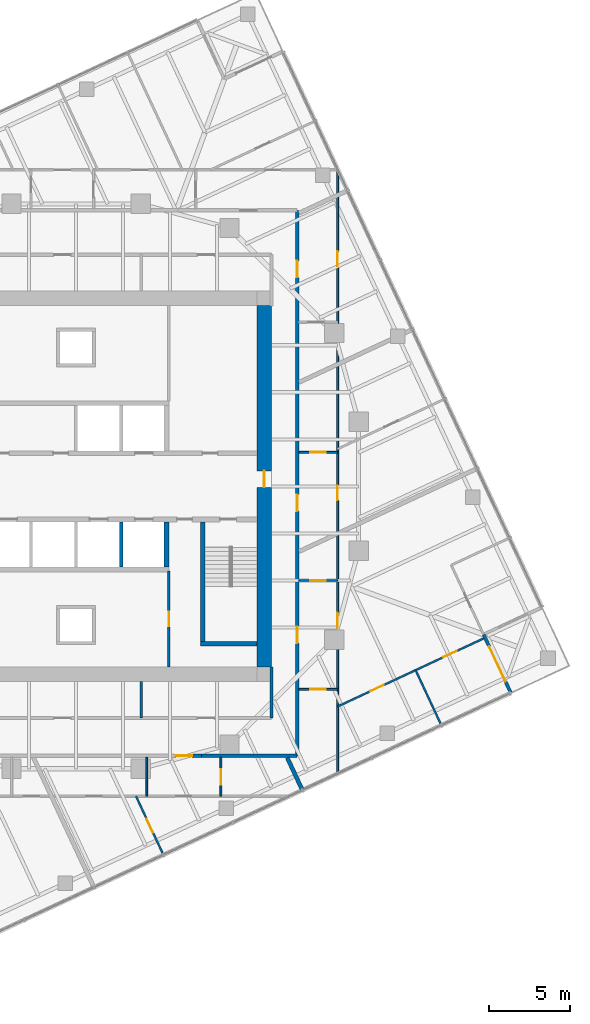
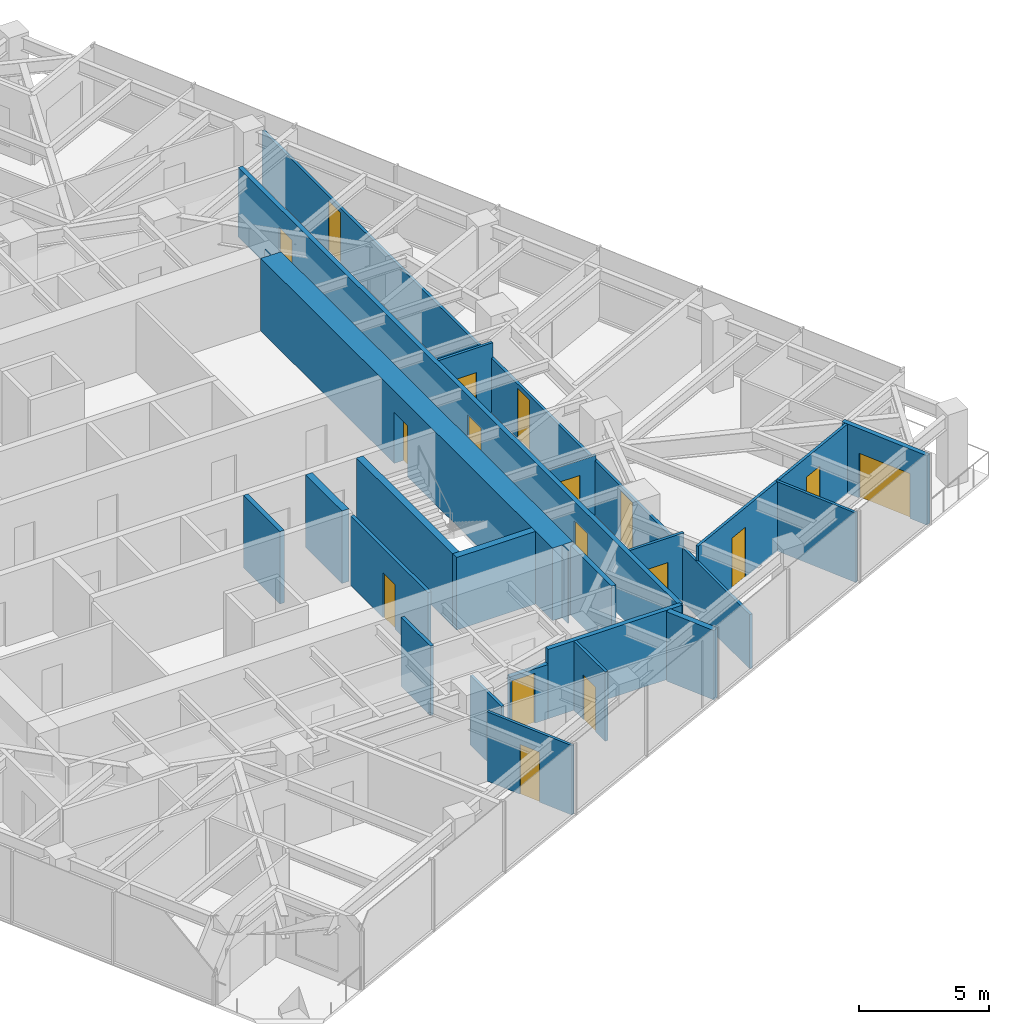
# One storey, part 9 of 12: 22 walls, 17 doors, 17 openings.
"""IFC4 building model written with IfcOpenShell, lengths in metres."""

from ifc_helpers import new_model, si_unit, direction, frame, frame_2d, origin, place, context, subcontext, project, spatial, polyline, rectangle, outline, extrude, material, layer, layer_set, type_object, element, fill, save


model = new_model("IFC4")

# Units and contexts
model_context = context("Model", 3, precision=1e-05, world=origin(), true_north=direction((0.0, 1.0)))
body_context = subcontext(model_context, "Body", "Model", "MODEL_VIEW")
ifc_project = project(units=[si_unit("LENGTHUNIT", "METRE"), si_unit("AREAUNIT", "SQUARE_METRE"), si_unit("VOLUMEUNIT", "CUBIC_METRE"), si_unit("PLANEANGLEUNIT", "RADIAN"), si_unit("MASSUNIT", "GRAM", prefix="KILO")], contexts=[model_context])

# Site, building, storey
site_placement = place(None, origin())
site = spatial("IfcSite", under=ifc_project, at=site_placement, CompositionType="ELEMENT")
building_placement = place(site_placement, origin())
building = spatial("IfcBuilding", under=site, at=building_placement, Name="Torsade Residences", CompositionType="ELEMENT")
storey_placement = place(building_placement, frame((0.0, 0.0, 189.60009765625)))
storey = spatial("IfcBuildingStorey", under=building, at=storey_placement, Name="L52", CompositionType="ELEMENT", Elevation=189.60009765625)

# Walls
ifc_material_1 = material(Name="Concrete 80 MPa", Category="concrete")
ifc_layer_1 = layer(ifc_material_1, 0.300048828125)
ifc_layer_set_1 = layer_set([ifc_layer_1], Name="Concrete 80 MPa")
wall_type_1 = type_object("IfcWallType", Name="CORE INTERNAL WALL 300", PredefinedType="SHEAR", material=ifc_layer_set_1)
wall_1_placement = place(storey_placement, frame((45.60009765625, 27.800048828125, 0.0), z_axis=(0.0, 0.0, 1.0), x_axis=(0.0, -1.0, 0.0)))
element("IfcWall", 1, at=wall_1_placement, inside=storey, type_object=wall_type_1, Name="Core wall DS0 L52", PredefinedType="SHEAR", context=body_context, shape_type="SweptSolid", body=[
    extrude(rectangle(XDim=2.800048828125, YDim=0.300048828125, at=frame_2d((1.39990234375, 0.0))), origin(), (0.0, 0.0, 1.0), 3.39990234375),
])
wall_2_placement = place(storey_placement, frame((47.85009765625, 27.800048828125, 0.0), z_axis=(0.0, 0.0, 1.0), x_axis=(0.0, -1.0, 0.0)))
element("IfcWall", 2, at=wall_2_placement, inside=storey, type_object=wall_type_1, Name="Core wall ST2W L52", PredefinedType="SHEAR", context=body_context, shape_type="SweptSolid", body=[
    extrude(rectangle(XDim=7.699951171875, YDim=0.300048828125, at=frame_2d((3.85009765625, 0.0))), origin(), (0.0, 0.0, 1.0), 3.39990234375),
])
wall_3_placement = place(storey_placement, frame((51.199951171875, 20.25, 0.0), z_axis=(0.0, 0.0, 1.0), x_axis=(-1.0, 0.0, 0.0)))
element("IfcWall", 3, at=wall_3_placement, inside=storey, type_object=wall_type_1, Name="Core wall ST2S L52", PredefinedType="SHEAR", context=body_context, shape_type="SweptSolid", body=[
    extrude(rectangle(XDim=3.5, YDim=0.300048828125, at=frame_2d((1.75, 0.0))), origin(), (0.0, 0.0, 1.0), 3.39990234375),
])

# Wall, opening, door
ifc_material_2 = material(Name="Concrete 80 MPa", Category="concrete")
ifc_layer_2 = layer(ifc_material_2, 0.89990234375)
ifc_layer_set_2 = layer_set([ifc_layer_2], Name="Concrete 80 MPa")
wall_type_2 = type_object("IfcWallType", Name="CORE WALL 900", PredefinedType="SHEAR", material=ifc_layer_set_2)
wall_4_placement = place(storey_placement, frame((51.64990234375, 18.800048828125, 0.0), z_axis=(0.0, 0.0, 1.0), x_axis=(0.0, 1.0, 0.0)))
wall_4 = element("IfcWall", 4, at=wall_4_placement, inside=storey, type_object=wall_type_2, Name="Core wall E L52", PredefinedType="SHEAR", context=body_context, shape_type="SweptSolid", body=[
    extrude(outline(polyline([(0.0, -0.449951171875), (22.39990234375, -0.449951171875), (22.39990234375, -0.02490234375), (22.849853515625, -0.02490234375), (22.849853515625, 0.02490234375), (22.39990234375, 0.02490234375), (22.39990234375, 0.449951171875), (0.0, 0.449951171875), (0.0, 0.02490234375), (-0.449951171875, 0.02490234375), (-0.449951171875, -0.02490234375), (0.0, -0.02490234375), (0.0, -0.449951171875)])), origin(), (0.0, 0.0, 1.0), 3.39990234375),
])
opening_1_placement = place(wall_4_placement, frame((11.139892578125, 0.0, 0.0)))
opening_1 = element("IfcOpeningElement", 5, at=opening_1_placement, cuts=wall_4, Name="Opening D04", PredefinedType="OPENING", context=body_context, shape_type="SweptSolid", body=[
    extrude(rectangle(XDim=1.02001953125, YDim=2.39990234375, at=frame_2d((0.510009765625, 1.199951171875))), frame((0.0, 0.4599609375, 0.0), z_axis=(0.0, -1.0, 0.0), x_axis=(1.0, 0.0, 0.0)), (0.0, 0.0, 1.0), 0.919921875),
])
ifc_material_3 = material(Name="Steel-framed fire door", Category="steel")
door_type_1 = type_object("IfcDoorType", Name="LOBBY SMOKE DOOR 1020x2400", OperationType="NOTDEFINED", PredefinedType="DOOR", material=ifc_material_3)
door_1_placement = place(opening_1_placement, origin())
door_1 = element("IfcDoor", 6, at=door_1_placement, inside=storey, type_object=door_type_1, Name="Lift lobby door E L52", OperationType="SINGLE_SWING_LEFT", OverallHeight=2.39990234375, OverallWidth=1.02001953125, PredefinedType="DOOR", context=body_context, shape_type="SweptSolid", body=[
    extrude(rectangle(XDim=1.02001953125, YDim=2.39990234375, at=frame_2d((0.510009765625, 1.199951171875))), frame((0.0, 0.02490234375, 0.0), z_axis=(0.0, -1.0, 0.0), x_axis=(1.0, 0.0, 0.0)), (0.0, 0.0, 1.0), 0.050048828125),
])
fill(opening_1, door_1)

ifc_material_4 = material(Name="Plasterboard on steel stud", Category="steel")
ifc_layer_3 = layer(ifc_material_4, 0.199951171875)
ifc_layer_set_3 = layer_set([ifc_layer_3], Name="Plasterboard on steel stud")
wall_type_3 = type_object("IfcWallType", Name="CORRIDOR WALL 200", PredefinedType="PARTITIONING", material=ifc_layer_set_3)
wall_5_placement = place(storey_placement, frame((46.091552734375, 13.300048828125, 0.0), z_axis=(0.0, 0.0, 1.0), x_axis=(1.0, 0.0, 0.0)))
wall_5 = element("IfcWall", 7, at=wall_5_placement, inside=storey, type_object=wall_type_3, Name="Corridor wall L52", PredefinedType="PARTITIONING", context=body_context, shape_type="SweptSolid", body=[
    extrude(rectangle(XDim=1.68359375, YDim=0.199951171875, at=frame_2d((0.841796875, 0.0))), origin(), (0.0, 0.0, 1.0), 2.5498046875),
])
opening_2_placement = place(wall_5_placement, frame((0.072509765625, 0.0, 0.0)))
opening_2 = element("IfcOpeningElement", 8, at=opening_2_placement, cuts=wall_5, Name="Opening D01", PredefinedType="OPENING", context=body_context, shape_type="SweptSolid", body=[
    extrude(rectangle(XDim=1.02001953125, YDim=2.340087890625, at=frame_2d((0.510009765625, 1.169921875))), frame((0.0, 0.10986328125, 0.0), z_axis=(0.0, -1.0, 0.0), x_axis=(1.0, 0.0, 0.0)), (0.0, 0.0, 1.0), 0.219970703125),
])
ifc_material_5 = material(Name="Solid-core timber fire door", Category="wood")
door_type_2 = type_object("IfcDoorType", Name="APARTMENT ENTRY DOOR 1020x2340", OperationType="NOTDEFINED", PredefinedType="DOOR", material=ifc_material_5)
door_2_placement = place(opening_2_placement, origin())
door_2 = element("IfcDoor", 9, at=door_2_placement, inside=storey, type_object=door_type_2, Name="Door Residential corridor to Kitchen and dining", OperationType="SINGLE_SWING_RIGHT", OverallHeight=2.340087890625, OverallWidth=1.02001953125, PredefinedType="DOOR", context=body_context, shape_type="SweptSolid", body=[
    extrude(rectangle(XDim=1.02001953125, YDim=2.340087890625, at=frame_2d((0.510009765625, 1.169921875))), frame((0.0, 0.02490234375, 0.0), z_axis=(0.0, -1.0, 0.0), x_axis=(1.0, 0.0, 0.0)), (0.0, 0.0, 1.0), 0.050048828125),
])
fill(opening_2, door_2)

# Wall
wall_6_placement = place(storey_placement, frame((47.775146484375, 13.300048828125, 0.0), z_axis=(0.0, 0.0, 1.0), x_axis=(1.0, 0.0, 0.0)))
element("IfcWall", 10, at=wall_6_placement, inside=storey, type_object=wall_type_3, Name="Corridor wall L52", PredefinedType="PARTITIONING", context=body_context, shape_type="SweptSolid", body=[
    extrude(rectangle(XDim=5.9248046875, YDim=0.199951171875, at=frame_2d((2.96240234375, 0.0))), origin(), (0.0, 0.0, 1.0), 3.25),
])

# Wall, openings, doors
wall_7_placement = place(storey_placement, frame((53.699951171875, 13.300048828125, 0.0), z_axis=(0.0, 0.0, 1.0), x_axis=(0.0, 1.0, 0.0)))
wall_7 = element("IfcWall", 11, at=wall_7_placement, inside=storey, type_object=wall_type_3, Name="Corridor wall L52", PredefinedType="PARTITIONING", context=body_context, shape_type="SweptSolid", body=[
    extrude(rectangle(XDim=33.800048828125, YDim=0.199951171875, at=frame_2d((16.89990234375, 0.0))), origin(), (0.0, 0.0, 1.0), 3.25),
])
opening_3_placement = place(wall_7_placement, frame((6.983642578125, 0.0, 0.0)))
opening_3 = element("IfcOpeningElement", 12, at=opening_3_placement, cuts=wall_7, Name="Opening D01", PredefinedType="OPENING", context=body_context, shape_type="SweptSolid", body=[
    extrude(rectangle(XDim=1.02001953125, YDim=2.340087890625, at=frame_2d((0.510009765625, 1.169921875))), frame((0.0, 0.10986328125, 0.0), z_axis=(0.0, -1.0, 0.0), x_axis=(1.0, 0.0, 0.0)), (0.0, 0.0, 1.0), 0.219970703125),
])
opening_4_placement = place(wall_7_placement, frame((29.6484375, 0.0, 0.0)))
opening_4 = element("IfcOpeningElement", 13, at=opening_4_placement, cuts=wall_7, Name="Opening D01", PredefinedType="OPENING", context=body_context, shape_type="SweptSolid", body=[
    extrude(rectangle(XDim=1.02001953125, YDim=2.340087890625, at=frame_2d((0.510009765625, 1.169921875))), frame((0.0, 0.10986328125, 0.0), z_axis=(0.0, -1.0, 0.0), x_axis=(1.0, 0.0, 0.0)), (0.0, 0.0, 1.0), 0.219970703125),
])
opening_5_placement = place(wall_7_placement, frame((15.160400390625, 0.0, 0.0)))
opening_5 = element("IfcOpeningElement", 14, at=opening_5_placement, cuts=wall_7, Name="Opening D01", PredefinedType="OPENING", context=body_context, shape_type="SweptSolid", body=[
    extrude(rectangle(XDim=1.02001953125, YDim=2.340087890625, at=frame_2d((0.510009765625, 1.169921875))), frame((0.0, 0.10986328125, 0.0), z_axis=(0.0, -1.0, 0.0), x_axis=(1.0, 0.0, 0.0)), (0.0, 0.0, 1.0), 0.219970703125),
])
door_3_placement = place(opening_3_placement, origin())
door_3 = element("IfcDoor", 15, at=door_3_placement, inside=storey, type_object=door_type_2, Name="Door Residential corridor to Kitchen and dining", OperationType="SINGLE_SWING_LEFT", OverallHeight=2.340087890625, OverallWidth=1.02001953125, PredefinedType="DOOR", context=body_context, shape_type="SweptSolid", body=[
    extrude(rectangle(XDim=1.02001953125, YDim=2.340087890625, at=frame_2d((0.510009765625, 1.169921875))), frame((0.0, 0.02490234375, 0.0), z_axis=(0.0, -1.0, 0.0), x_axis=(1.0, 0.0, 0.0)), (0.0, 0.0, 1.0), 0.050048828125),
])
fill(opening_3, door_3)
door_4_placement = place(opening_4_placement, origin())
door_4 = element("IfcDoor", 16, at=door_4_placement, inside=storey, type_object=door_type_2, Name="Door Residential corridor to Kitchen and dining", OperationType="SINGLE_SWING_RIGHT", OverallHeight=2.340087890625, OverallWidth=1.02001953125, PredefinedType="DOOR", context=body_context, shape_type="SweptSolid", body=[
    extrude(rectangle(XDim=1.02001953125, YDim=2.340087890625, at=frame_2d((0.510009765625, 1.169921875))), frame((0.0, 0.02490234375, 0.0), z_axis=(0.0, -1.0, 0.0), x_axis=(1.0, 0.0, 0.0)), (0.0, 0.0, 1.0), 0.050048828125),
])
fill(opening_4, door_4)
door_5_placement = place(opening_5_placement, origin())
door_5 = element("IfcDoor", 17, at=door_5_placement, inside=storey, type_object=door_type_2, Name="Door Residential corridor to Kitchen and dining", OperationType="SINGLE_SWING_LEFT", OverallHeight=2.340087890625, OverallWidth=1.02001953125, PredefinedType="DOOR", context=body_context, shape_type="SweptSolid", body=[
    extrude(rectangle(XDim=1.02001953125, YDim=2.340087890625, at=frame_2d((0.510009765625, 1.169921875))), frame((0.0, 0.02490234375, 0.0), z_axis=(0.0, -1.0, 0.0), x_axis=(1.0, 0.0, 0.0)), (0.0, 0.0, 1.0), 0.050048828125),
])
fill(opening_5, door_5)

# Walls
wall_8_placement = place(storey_placement, frame((52.10009765625, 15.64990234375, 0.0), z_axis=(0.0, 0.0, 1.0), x_axis=(0.0, 1.0, 0.0)))
element("IfcWall", 18, at=wall_8_placement, inside=storey, type_object=wall_type_3, Name="Corridor wall L52", PredefinedType="PARTITIONING", context=body_context, shape_type="SweptSolid", body=[
    extrude(rectangle(XDim=3.170166015625, YDim=0.199951171875, at=frame_2d((1.5849609375, 0.0))), origin(), (0.0, 0.0, 1.0), 3.25),
])
ifc_material_6 = material(Name="Reinforced blockwork", Category="masonry")
ifc_layer_4 = layer(ifc_material_6, 0.199951171875)
ifc_layer_set_4 = layer_set([ifc_layer_4], Name="Reinforced blockwork")
wall_type_4 = type_object("IfcWallType", Name="LIFT SHAFT DIVIDING WALL 200", PredefinedType="SOLIDWALL", material=ifc_layer_set_4)
wall_9_placement = place(storey_placement, frame((42.800048828125, 27.800048828125, 0.0), z_axis=(0.0, 0.0, 1.0), x_axis=(0.0, -1.0, 0.0)))
element("IfcWall", 19, at=wall_9_placement, inside=storey, type_object=wall_type_4, Name="Core wall DS1 L52", PredefinedType="SOLIDWALL", context=body_context, shape_type="SweptSolid", body=[
    extrude(rectangle(XDim=2.800048828125, YDim=0.199951171875, at=frame_2d((1.39990234375, 0.0))), origin(), (0.0, 0.0, 1.0), 3.39990234375),
])
ifc_material_7 = material(Name="Plasterboard on steel stud", Category="steel")
ifc_layer_5 = layer(ifc_material_7, 0.1201171875)
ifc_layer_set_5 = layer_set([ifc_layer_5], Name="Plasterboard on steel stud")
wall_type_5 = type_object("IfcWallType", Name="PARTITION 120", PredefinedType="PARTITIONING", material=ifc_layer_set_5)
wall_10_placement = place(storey_placement, frame((44.375244140625, 10.800048828125, 0.0), z_axis=(0.0, 0.0, 1.0), x_axis=(0.0, 1.0, 0.0)))
element("IfcWall", 20, at=wall_10_placement, inside=storey, type_object=wall_type_5, Name="Partition L52", PredefinedType="PARTITIONING", context=body_context, shape_type="SweptSolid", body=[
    extrude(rectangle(XDim=2.39990234375, YDim=0.1201171875, at=frame_2d((1.199951171875, 0.0))), origin(), (0.0, 0.0, 1.0), 3.25),
])

# Wall, opening, door
wall_11_placement = place(storey_placement, frame((48.97314453125, 13.199951171875, 0.0), z_axis=(0.0, 0.0, 1.0), x_axis=(0.0, -1.0, 0.0)))
wall_11 = element("IfcWall", 21, at=wall_11_placement, inside=storey, type_object=wall_type_5, Name="Partition L52", PredefinedType="PARTITIONING", context=body_context, shape_type="SweptSolid", body=[
    extrude(rectangle(XDim=2.39990234375, YDim=0.1201171875, at=frame_2d((1.199951171875, 0.0))), origin(), (0.0, 0.0, 1.0), 3.25),
])
opening_6_placement = place(wall_11_placement, frame((0.719970703125, 0.0, 0.0)))
opening_6 = element("IfcOpeningElement", 22, at=opening_6_placement, cuts=wall_11, Name="Opening D05", PredefinedType="OPENING", context=body_context, shape_type="SweptSolid", body=[
    extrude(rectangle(XDim=0.9599609375, YDim=2.10009765625, at=frame_2d((0.47998046875, 1.050048828125))), frame((0.0, 0.070068359375, 0.0), z_axis=(0.0, -1.0, 0.0), x_axis=(1.0, 0.0, 0.0)), (0.0, 0.0, 1.0), 0.14013671875),
])
ifc_material_8 = material(Name="Hollow-core timber door in a steel cavity frame", Category="steel")
door_type_3 = type_object("IfcDoorType", Name="BATHROOM CAVITY SLIDING DOOR 960", OperationType="SLIDING_TO_LEFT", PredefinedType="DOOR", material=ifc_material_8)
door_6_placement = place(opening_6_placement, origin())
door_6 = element("IfcDoor", 23, at=door_6_placement, inside=storey, type_object=door_type_3, Name="Door Kitchen and dining to WC", OperationType="SLIDING_TO_LEFT", OverallHeight=2.10009765625, OverallWidth=0.9599609375, PredefinedType="DOOR", context=body_context, shape_type="SweptSolid", body=[
    extrude(rectangle(XDim=0.9599609375, YDim=2.10009765625, at=frame_2d((0.47998046875, 1.050048828125))), frame((0.0, 0.02490234375, 0.0), z_axis=(0.0, -1.0, 0.0), x_axis=(1.0, 0.0, 0.0)), (0.0, 0.0, 1.0), 0.050048828125),
])
fill(opening_6, door_6)

wall_12_placement = place(storey_placement, frame((43.712158203125, 10.800048828125, 0.0), z_axis=(0.0, 0.0, 1.0), x_axis=(0.422620823304, -0.906306592556, 0.0)))
wall_12 = element("IfcWall", 24, at=wall_12_placement, inside=storey, type_object=wall_type_5, Name="Partition L52", PredefinedType="PARTITIONING", context=body_context, shape_type="SweptSolid", body=[
    extrude(rectangle(XDim=3.989990234375, YDim=0.1201171875, at=frame_2d((1.9951171875, 0.0))), origin(), (0.0, 0.0, 1.0), 3.25),
])
opening_7_placement = place(wall_12_placement, frame((1.554931640625, 0.0, 0.0)))
opening_7 = element("IfcOpeningElement", 25, at=opening_7_placement, cuts=wall_12, Name="Opening D02", PredefinedType="OPENING", context=body_context, shape_type="SweptSolid", body=[
    extrude(rectangle(XDim=0.919921875, YDim=2.340087890625, at=frame_2d((0.4599609375, 1.169921875))), frame((0.0, 0.070068359375, 0.0), z_axis=(0.0, -1.0, 0.0), x_axis=(1.0, 0.0, 0.0)), (0.0, 0.0, 1.0), 0.14013671875),
])
ifc_material_9 = material(Name="Hollow-core timber door", Category="wood")
door_type_4 = type_object("IfcDoorType", Name="INTERNAL DOOR 920x2340", OperationType="NOTDEFINED", PredefinedType="DOOR", material=ifc_material_9)
door_7_placement = place(opening_7_placement, origin())
door_7 = element("IfcDoor", 26, at=door_7_placement, inside=storey, type_object=door_type_4, Name="Door Bedroom 1 to Living room", OperationType="SINGLE_SWING_LEFT", OverallHeight=2.340087890625, OverallWidth=0.919921875, PredefinedType="DOOR", context=body_context, shape_type="SweptSolid", body=[
    extrude(rectangle(XDim=0.919921875, YDim=2.340087890625, at=frame_2d((0.4599609375, 1.169921875))), frame((0.0, 0.02490234375, 0.0), z_axis=(0.0, -1.0, 0.0), x_axis=(1.0, 0.0, 0.0)), (0.0, 0.0, 1.0), 0.050048828125),
])
fill(opening_7, door_7)

wall_13_placement = place(storey_placement, frame((56.199951171875, 17.421630859375, 0.0), z_axis=(0.0, 0.0, 1.0), x_axis=(-1.0, 0.0, 0.0)))
wall_13 = element("IfcWall", 27, at=wall_13_placement, inside=storey, type_object=wall_type_5, Name="Partition L52", PredefinedType="PARTITIONING", context=body_context, shape_type="SweptSolid", body=[
    extrude(rectangle(XDim=2.39990234375, YDim=0.1201171875, at=frame_2d((1.199951171875, 0.0))), origin(), (0.0, 0.0, 1.0), 3.25),
])
opening_8_placement = place(wall_13_placement, frame((0.719970703125, 0.0, 0.0)))
opening_8 = element("IfcOpeningElement", 28, at=opening_8_placement, cuts=wall_13, Name="Opening D05", PredefinedType="OPENING", context=body_context, shape_type="SweptSolid", body=[
    extrude(rectangle(XDim=0.9599609375, YDim=2.10009765625, at=frame_2d((0.47998046875, 1.050048828125))), frame((0.0, 0.070068359375, 0.0), z_axis=(0.0, -1.0, 0.0), x_axis=(1.0, 0.0, 0.0)), (0.0, 0.0, 1.0), 0.14013671875),
])
door_8_placement = place(opening_8_placement, origin())
door_8 = element("IfcDoor", 29, at=door_8_placement, inside=storey, type_object=door_type_3, Name="Door Kitchen and dining to Bathroom", OperationType="SLIDING_TO_LEFT", OverallHeight=2.10009765625, OverallWidth=0.9599609375, PredefinedType="DOOR", context=body_context, shape_type="SweptSolid", body=[
    extrude(rectangle(XDim=0.9599609375, YDim=2.10009765625, at=frame_2d((0.47998046875, 1.050048828125))), frame((0.0, 0.02490234375, 0.0), z_axis=(0.0, -1.0, 0.0), x_axis=(1.0, 0.0, 0.0)), (0.0, 0.0, 1.0), 0.050048828125),
])
fill(opening_8, door_8)

wall_14_placement = place(storey_placement, frame((53.800048828125, 24.165771484375, 0.0), z_axis=(0.0, 0.0, 1.0), x_axis=(1.0, 0.0, 0.0)))
wall_14 = element("IfcWall", 30, at=wall_14_placement, inside=storey, type_object=wall_type_5, Name="Partition L52", PredefinedType="PARTITIONING", context=body_context, shape_type="SweptSolid", body=[
    extrude(rectangle(XDim=2.39990234375, YDim=0.1201171875, at=frame_2d((1.199951171875, 0.0))), origin(), (0.0, 0.0, 1.0), 2.7958984375),
])
opening_9_placement = place(wall_14_placement, frame((0.719970703125, 0.0, 0.0)))
opening_9 = element("IfcOpeningElement", 31, at=opening_9_placement, cuts=wall_14, Name="Opening D05", PredefinedType="OPENING", context=body_context, shape_type="SweptSolid", body=[
    extrude(rectangle(XDim=0.9599609375, YDim=2.10009765625, at=frame_2d((0.47998046875, 1.050048828125))), frame((0.0, 0.070068359375, 0.0), z_axis=(0.0, -1.0, 0.0), x_axis=(1.0, 0.0, 0.0)), (0.0, 0.0, 1.0), 0.14013671875),
])
door_9_placement = place(opening_9_placement, origin())
door_9 = element("IfcDoor", 32, at=door_9_placement, inside=storey, type_object=door_type_3, Name="Door Kitchen and dining to Ensuite", OperationType="SLIDING_TO_LEFT", OverallHeight=2.10009765625, OverallWidth=0.9599609375, PredefinedType="DOOR", context=body_context, shape_type="SweptSolid", body=[
    extrude(rectangle(XDim=0.9599609375, YDim=2.10009765625, at=frame_2d((0.47998046875, 1.050048828125))), frame((0.0, 0.02490234375, 0.0), z_axis=(0.0, -1.0, 0.0), x_axis=(1.0, 0.0, 0.0)), (0.0, 0.0, 1.0), 0.050048828125),
])
fill(opening_9, door_9)

# Wall, openings, doors
wall_15_placement = place(storey_placement, frame((56.199951171875, 49.6416015625, 0.0), z_axis=(0.0, 0.0, 1.0), x_axis=(0.0, -1.0, 0.0)))
wall_15 = element("IfcWall", 33, at=wall_15_placement, inside=storey, type_object=wall_type_5, Name="Partition L52", PredefinedType="PARTITIONING", context=body_context, shape_type="SweptSolid", body=[
    extrude(rectangle(XDim=37.4208984375, YDim=0.1201171875, at=frame_2d((18.71044921875, 0.0))), origin(), (0.0, 0.0, 1.0), 2.5498046875),
])
opening_10_placement = place(wall_15_placement, frame((27.48779296875, 0.0, 0.0)))
opening_10 = element("IfcOpeningElement", 34, at=opening_10_placement, cuts=wall_15, Name="Opening D02", PredefinedType="OPENING", context=body_context, shape_type="SweptSolid", body=[
    extrude(rectangle(XDim=0.919921875, YDim=2.340087890625, at=frame_2d((0.4599609375, 1.169921875))), frame((0.0, 0.070068359375, 0.0), z_axis=(0.0, -1.0, 0.0), x_axis=(1.0, 0.0, 0.0)), (0.0, 0.0, 1.0), 0.14013671875),
])
opening_11_placement = place(wall_15_placement, frame((5.080078125, 0.0, 0.0)))
opening_11 = element("IfcOpeningElement", 35, at=opening_11_placement, cuts=wall_15, Name="Opening D02", PredefinedType="OPENING", context=body_context, shape_type="SweptSolid", body=[
    extrude(rectangle(XDim=0.919921875, YDim=2.340087890625, at=frame_2d((0.4599609375, 1.169921875))), frame((0.0, 0.070068359375, 0.0), z_axis=(0.0, -1.0, 0.0), x_axis=(1.0, 0.0, 0.0)), (0.0, 0.0, 1.0), 0.14013671875),
])
opening_12_placement = place(wall_15_placement, frame((19.59228515625, 0.0, 0.0)))
opening_12 = element("IfcOpeningElement", 36, at=opening_12_placement, cuts=wall_15, Name="Opening D02", PredefinedType="OPENING", context=body_context, shape_type="SweptSolid", body=[
    extrude(rectangle(XDim=0.919921875, YDim=2.340087890625, at=frame_2d((0.4599609375, 1.169921875))), frame((0.0, 0.070068359375, 0.0), z_axis=(0.0, -1.0, 0.0), x_axis=(1.0, 0.0, 0.0)), (0.0, 0.0, 1.0), 0.14013671875),
])
door_10_placement = place(opening_10_placement, origin())
door_10 = element("IfcDoor", 37, at=door_10_placement, inside=storey, type_object=door_type_4, Name="Door Kitchen and dining to Living room", OperationType="SINGLE_SWING_RIGHT", OverallHeight=2.340087890625, OverallWidth=0.919921875, PredefinedType="DOOR", context=body_context, shape_type="SweptSolid", body=[
    extrude(rectangle(XDim=0.919921875, YDim=2.340087890625, at=frame_2d((0.4599609375, 1.169921875))), frame((0.0, 0.02490234375, 0.0), z_axis=(0.0, -1.0, 0.0), x_axis=(1.0, 0.0, 0.0)), (0.0, 0.0, 1.0), 0.050048828125),
])
fill(opening_10, door_10)
door_11_placement = place(opening_11_placement, origin())
door_11 = element("IfcDoor", 38, at=door_11_placement, inside=storey, type_object=door_type_4, Name="Door Kitchen and dining to Studio living and sleeping", OperationType="SINGLE_SWING_LEFT", OverallHeight=2.340087890625, OverallWidth=0.919921875, PredefinedType="DOOR", context=body_context, shape_type="SweptSolid", body=[
    extrude(rectangle(XDim=0.919921875, YDim=2.340087890625, at=frame_2d((0.4599609375, 1.169921875))), frame((0.0, 0.02490234375, 0.0), z_axis=(0.0, -1.0, 0.0), x_axis=(1.0, 0.0, 0.0)), (0.0, 0.0, 1.0), 0.050048828125),
])
fill(opening_11, door_11)
door_12_placement = place(opening_12_placement, origin())
door_12 = element("IfcDoor", 39, at=door_12_placement, inside=storey, type_object=door_type_4, Name="Door Kitchen and dining to Living room", OperationType="SINGLE_SWING_RIGHT", OverallHeight=2.340087890625, OverallWidth=0.919921875, PredefinedType="DOOR", context=body_context, shape_type="SweptSolid", body=[
    extrude(rectangle(XDim=0.919921875, YDim=2.340087890625, at=frame_2d((0.4599609375, 1.169921875))), frame((0.0, 0.02490234375, 0.0), z_axis=(0.0, -1.0, 0.0), x_axis=(1.0, 0.0, 0.0)), (0.0, 0.0, 1.0), 0.050048828125),
])
fill(opening_12, door_12)

wall_16_placement = place(storey_placement, frame((65.30322265625, 20.60009765625, 0.0), z_axis=(0.0, 0.0, 1.0), x_axis=(-0.906300466163, -0.422633961049, 0.0)))
wall_16 = element("IfcWall", 40, at=wall_16_placement, inside=storey, type_object=wall_type_5, Name="Partition L52", PredefinedType="PARTITIONING", context=body_context, shape_type="SweptSolid", body=[
    extrude(rectangle(XDim=10.04443359375, YDim=0.1201171875, at=frame_2d((5.022216796875, 0.0))), origin(), (0.0, 0.0, 1.0), 3.25),
])
opening_13_placement = place(wall_16_placement, frame((6.892333984375, 0.0, 0.0)))
opening_13 = element("IfcOpeningElement", 41, at=opening_13_placement, cuts=wall_16, Name="Opening D02", PredefinedType="OPENING", context=body_context, shape_type="SweptSolid", body=[
    extrude(rectangle(XDim=0.919921875, YDim=2.340087890625, at=frame_2d((0.4599609375, 1.169921875))), frame((0.0, 0.070068359375, 0.0), z_axis=(0.0, -1.0, 0.0), x_axis=(1.0, 0.0, 0.0)), (0.0, 0.0, 1.0), 0.14013671875),
])
opening_14_placement = place(wall_16_placement, frame((1.89990234375, 0.0, 0.0)))
opening_14 = element("IfcOpeningElement", 42, at=opening_14_placement, cuts=wall_16, Name="Opening D02", PredefinedType="OPENING", context=body_context, shape_type="SweptSolid", body=[
    extrude(rectangle(XDim=0.919921875, YDim=2.340087890625, at=frame_2d((0.4599609375, 1.169921875))), frame((0.0, 0.070068359375, 0.0), z_axis=(0.0, -1.0, 0.0), x_axis=(1.0, 0.0, 0.0)), (0.0, 0.0, 1.0), 0.14013671875),
])
door_13_placement = place(opening_13_placement, origin())
door_13 = element("IfcDoor", 43, at=door_13_placement, inside=storey, type_object=door_type_4, Name="Door Living room to Bedroom 1", OperationType="SINGLE_SWING_LEFT", OverallHeight=2.340087890625, OverallWidth=0.919921875, PredefinedType="DOOR", context=body_context, shape_type="SweptSolid", body=[
    extrude(rectangle(XDim=0.919921875, YDim=2.340087890625, at=frame_2d((0.4599609375, 1.169921875))), frame((0.0, 0.02490234375, 0.0), z_axis=(0.0, -1.0, 0.0), x_axis=(1.0, 0.0, 0.0)), (0.0, 0.0, 1.0), 0.050048828125),
])
fill(opening_13, door_13)
door_14_placement = place(opening_14_placement, origin())
door_14 = element("IfcDoor", 44, at=door_14_placement, inside=storey, type_object=door_type_4, Name="Door Living room to Bedroom 2", OperationType="SINGLE_SWING_RIGHT", OverallHeight=2.340087890625, OverallWidth=0.919921875, PredefinedType="DOOR", context=body_context, shape_type="SweptSolid", body=[
    extrude(rectangle(XDim=0.919921875, YDim=2.340087890625, at=frame_2d((0.4599609375, 1.169921875))), frame((0.0, 0.02490234375, 0.0), z_axis=(0.0, -1.0, 0.0), x_axis=(1.0, 0.0, 0.0)), (0.0, 0.0, 1.0), 0.050048828125),
])
fill(opening_14, door_14)

# Wall
wall_17_placement = place(storey_placement, frame((61.03466796875, 18.609375, 0.0), z_axis=(0.0, 0.0, 1.0), x_axis=(0.422600090785, -0.906316260071, 0.0)))
element("IfcWall", 45, at=wall_17_placement, inside=storey, type_object=wall_type_5, Name="Partition L52", PredefinedType="PARTITIONING", context=body_context, shape_type="SweptSolid", body=[
    extrude(rectangle(XDim=3.7470703125, YDim=0.1201171875, at=frame_2d((1.87353515625, 0.0))), origin(), (0.0, 0.0, 1.0), 3.25),
])

# Wall, opening, door
wall_18_placement = place(storey_placement, frame((53.800048828125, 32.106689453125, 0.0), z_axis=(0.0, 0.0, 1.0), x_axis=(1.0, 0.0, 0.0)))
wall_18 = element("IfcWall", 46, at=wall_18_placement, inside=storey, type_object=wall_type_5, Name="Partition L52", PredefinedType="PARTITIONING", context=body_context, shape_type="SweptSolid", body=[
    extrude(rectangle(XDim=2.39990234375, YDim=0.1201171875, at=frame_2d((1.199951171875, 0.0))), origin(), (0.0, 0.0, 1.0), 3.25),
])
opening_15_placement = place(wall_18_placement, frame((0.719970703125, 0.0, 0.0)))
opening_15 = element("IfcOpeningElement", 47, at=opening_15_placement, cuts=wall_18, Name="Opening D05", PredefinedType="OPENING", context=body_context, shape_type="SweptSolid", body=[
    extrude(rectangle(XDim=0.9599609375, YDim=2.10009765625, at=frame_2d((0.47998046875, 1.050048828125))), frame((0.0, 0.070068359375, 0.0), z_axis=(0.0, -1.0, 0.0), x_axis=(1.0, 0.0, 0.0)), (0.0, 0.0, 1.0), 0.14013671875),
])
door_15_placement = place(opening_15_placement, origin())
door_15 = element("IfcDoor", 48, at=door_15_placement, inside=storey, type_object=door_type_3, Name="Door Kitchen and dining to Bathroom", OperationType="SLIDING_TO_LEFT", OverallHeight=2.10009765625, OverallWidth=0.9599609375, PredefinedType="DOOR", context=body_context, shape_type="SweptSolid", body=[
    extrude(rectangle(XDim=0.9599609375, YDim=2.10009765625, at=frame_2d((0.47998046875, 1.050048828125))), frame((0.0, 0.02490234375, 0.0), z_axis=(0.0, -1.0, 0.0), x_axis=(1.0, 0.0, 0.0)), (0.0, 0.0, 1.0), 0.050048828125),
])
fill(opening_15, door_15)

# Wall
ifc_material_10 = material(Name="Masonry-lined stud party wall", Category="masonry")
ifc_layer_6 = layer(ifc_material_10, 0.25)
ifc_layer_set_6 = layer_set([ifc_layer_6], Name="Masonry-lined stud party wall")
wall_type_6 = type_object("IfcWallType", Name="PARTY WALL 250", PredefinedType="PARTITIONING", material=ifc_layer_set_6)
wall_19_placement = place(storey_placement, frame((54.025146484375, 11.162353515625, 0.0), z_axis=(0.0, 0.0, 1.0), x_axis=(-0.422609736898, 0.906311762187, 0.0)))
element("IfcWall", 49, at=wall_19_placement, inside=storey, type_object=wall_type_6, Name="Party wall L52", PredefinedType="PARTITIONING", context=body_context, shape_type="SweptSolid", body=[
    extrude(rectangle(XDim=2.22998046875, YDim=0.25, at=frame_2d((1.114990234375, 0.0))), origin(), (0.0, 0.0, 1.0), 3.25),
])

# Wall, opening, door
ifc_material_11 = material(Name="Reinforced blockwork", Category="masonry")
ifc_layer_7 = layer(ifc_material_11, 0.14990234375)
ifc_layer_set_7 = layer_set([ifc_layer_7], Name="Reinforced blockwork")
wall_type_7 = type_object("IfcWallType", Name="SERVICE ROOM WALL 150", PredefinedType="SOLIDWALL", material=ifc_layer_set_7)
wall_20_placement = place(storey_placement, frame((45.75, 18.800048828125, 0.0), z_axis=(0.0, 0.0, 1.0), x_axis=(0.0, 1.0, 0.0)))
wall_20 = element("IfcWall", 50, at=wall_20_placement, inside=storey, type_object=wall_type_7, Name="Service room wall L52", PredefinedType="SOLIDWALL", context=body_context, shape_type="SweptSolid", body=[
    extrude(rectangle(XDim=5.949951171875, YDim=0.14990234375, at=frame_2d((2.97509765625, 0.0))), origin(), (0.0, 0.0, 1.0), 3.25),
])
opening_16_placement = place(wall_20_placement, frame((2.514892578125, 0.0, 0.0)))
opening_16 = element("IfcOpeningElement", 51, at=opening_16_placement, cuts=wall_20, Name="Opening D06", PredefinedType="OPENING", context=body_context, shape_type="SweptSolid", body=[
    extrude(rectangle(XDim=0.919921875, YDim=2.10009765625, at=frame_2d((0.4599609375, 1.050048828125))), frame((0.0, 0.0849609375, 0.0), z_axis=(0.0, -1.0, 0.0), x_axis=(1.0, 0.0, 0.0)), (0.0, 0.0, 1.0), 0.169921875),
])
ifc_material_12 = material(Name="Steel-framed fire door", Category="steel")
door_type_5 = type_object("IfcDoorType", Name="FIRE DOOR 920", OperationType="NOTDEFINED", PredefinedType="DOOR", material=ifc_material_12)
door_16_placement = place(opening_16_placement, origin())
door_16 = element("IfcDoor", 52, at=door_16_placement, inside=storey, type_object=door_type_5, Name="Door Security and data store to Communications riser room", OperationType="SINGLE_SWING_LEFT", OverallHeight=2.10009765625, OverallWidth=0.919921875, PredefinedType="DOOR", context=body_context, shape_type="SweptSolid", body=[
    extrude(rectangle(XDim=0.919921875, YDim=2.10009765625, at=frame_2d((0.4599609375, 1.050048828125))), frame((0.0, 0.02490234375, 0.0), z_axis=(0.0, -1.0, 0.0), x_axis=(1.0, 0.0, 0.0)), (0.0, 0.0, 1.0), 0.050048828125),
])
fill(opening_16, door_16)

# Wall
wall_21_placement = place(storey_placement, frame((44.04150390625, 15.64990234375, 0.0), z_axis=(0.0, 0.0, 1.0), x_axis=(0.0, 1.0, 0.0)))
element("IfcWall", 53, at=wall_21_placement, inside=storey, type_object=wall_type_7, Name="Service room wall L52", PredefinedType="SOLIDWALL", context=body_context, shape_type="SweptSolid", body=[
    extrude(rectangle(XDim=2.25, YDim=0.14990234375, at=frame_2d((1.125, 0.0))), origin(), (0.0, 0.0, 1.0), 3.25),
])

# Wall, opening, door
ifc_material_13 = material(Name="Stone-faced precast concrete 40 MPa panel", Category="masonry")
ifc_layer_8 = layer(ifc_material_13, 0.199951171875)
ifc_layer_set_8 = layer_set([ifc_layer_8], Name="Stone-faced precast concrete 40 MPa panel")
wall_type_8 = type_object("IfcWallType", Name="TERRACE WALL 200", PredefinedType="SOLIDWALL", material=ifc_layer_set_8)
wall_22_placement = place(storey_placement, frame((66.940185546875, 17.1845703125, 0.0), z_axis=(0.0, 0.0, 1.0), x_axis=(-0.422658246362, 0.906289140828, 0.0)))
wall_22 = element("IfcWall", 54, at=wall_22_placement, inside=storey, type_object=wall_type_8, Name="Terrace wall L52 2", PredefinedType="SOLIDWALL", context=body_context, shape_type="SweptSolid", body=[
    extrude(rectangle(XDim=4.0, YDim=0.199951171875, at=frame_2d((2.0, 0.0))), origin(), (0.0, 0.0, 1.0), 3.25),
])
opening_17_placement = place(wall_22_placement, frame((0.800048828125, 0.0, 0.0)))
opening_17 = element("IfcOpeningElement", 55, at=opening_17_placement, cuts=wall_22, Name="Opening D10A", PredefinedType="OPENING", context=body_context, shape_type="SweptSolid", body=[
    extrude(rectangle(XDim=2.39990234375, YDim=2.10009765625, at=frame_2d((1.199951171875, 1.050048828125))), frame((0.0, 0.10986328125, 0.0), z_axis=(0.0, -1.0, 0.0), x_axis=(1.0, 0.0, 0.0)), (0.0, 0.0, 1.0), 0.219970703125),
])
ifc_material_14 = material(Name="Aluminium-framed glass door", Category="aluminium")
door_type_6 = type_object("IfcDoorType", Name="TERRACE SLIDING DOOR 2400x2100", OperationType="SLIDING_TO_LEFT", PredefinedType="DOOR", material=ifc_material_14)
door_17_placement = place(opening_17_placement, origin())
door_17 = element("IfcDoor", 56, at=door_17_placement, inside=storey, type_object=door_type_6, Name="Terrace door L52 2", OperationType="SLIDING_TO_LEFT", OverallHeight=2.10009765625, OverallWidth=2.39990234375, PredefinedType="DOOR", context=body_context, shape_type="SweptSolid", body=[
    extrude(rectangle(XDim=2.39990234375, YDim=2.10009765625, at=frame_2d((1.199951171875, 1.050048828125))), frame((0.0, 0.02490234375, 0.0), z_axis=(0.0, -1.0, 0.0), x_axis=(1.0, 0.0, 0.0)), (0.0, 0.0, 1.0), 0.050048828125),
])
fill(opening_17, door_17)

save(model, "model.ifc")
